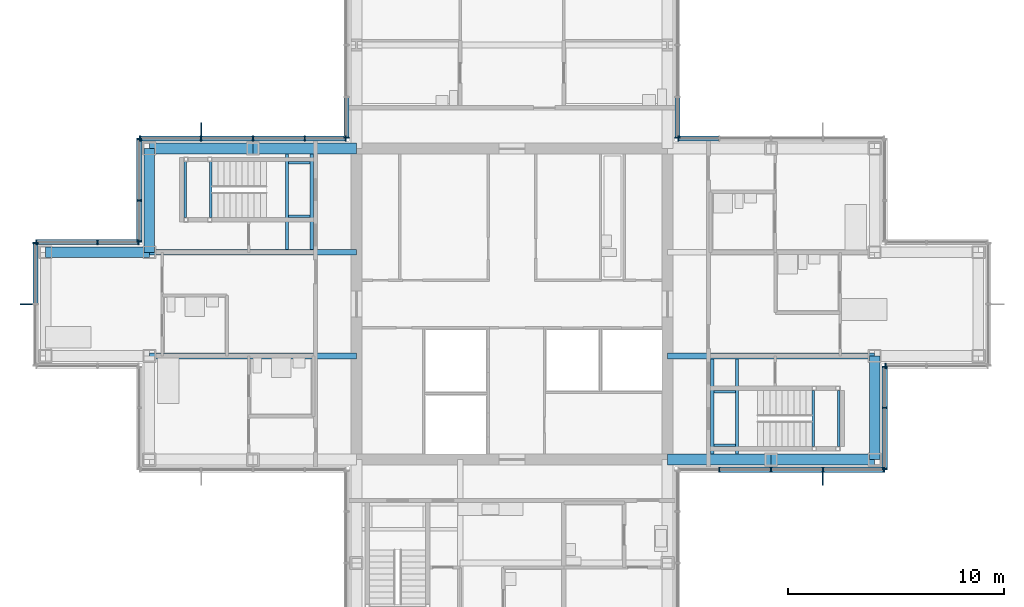
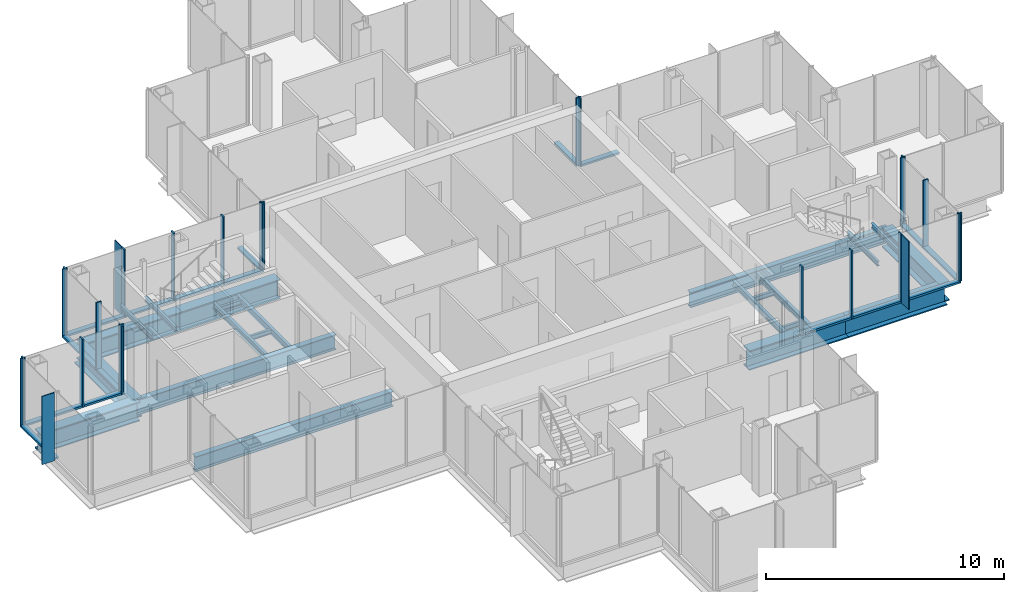
# One storey, part 7 of 17: 43 members, 22 beams, 10 elements without a shape of their own.
"""IFC4 building model written with IfcOpenShell, lengths in metres."""

from ifc_helpers import new_model, si_unit, direction, frame, origin, origin_2d, place, context, subcontext, project, spatial, rectangle, i_section, extrude, material, material_profile, profile_set, type_object, element, aggregate, save


model = new_model("IFC4")

# Units and contexts
model_context = context("Model", 3, precision=1e-05, world=origin(), true_north=direction((0.0, 1.0)))
body_context = subcontext(model_context, "Body", "Model", "MODEL_VIEW")
ifc_project = project(units=[si_unit("LENGTHUNIT", "METRE"), si_unit("AREAUNIT", "SQUARE_METRE"), si_unit("VOLUMEUNIT", "CUBIC_METRE"), si_unit("PLANEANGLEUNIT", "RADIAN"), si_unit("MASSUNIT", "GRAM", prefix="KILO")], contexts=[model_context])

# Site, building, storey
site_placement = place(None, origin())
site = spatial("IfcSite", under=ifc_project, at=site_placement, CompositionType="ELEMENT")
building_placement = place(site_placement, origin())
building = spatial("IfcBuilding", under=site, at=building_placement, Name="Kvirike Care Tower", CompositionType="ELEMENT")
storey_placement = place(building_placement, frame((0.0, 0.0, 155.0)))
storey = spatial("IfcBuildingStorey", under=building, at=storey_placement, Name="L42", CompositionType="ELEMENT", Elevation=155.0)

# Curtain wall, member
ifc_material_1 = material(Name="Anodised aluminium stick system", Category="aluminium")
curtain_wall_type = type_object("IfcCurtainWallType", Name="CW-C STICK CURTAIN WALL", PredefinedType="NOTDEFINED", material=ifc_material_1)
curtain_wall_1_placement = place(storey_placement, origin())
curtain_wall_1 = element("IfcCurtainWall", 1, at=curtain_wall_1_placement, inside=storey, type_object=curtain_wall_type, Name="Curtain wall L42 face 1", PredefinedType="NOTDEFINED")
ifc_material_2 = material(Name="Bronze anodised aluminium fin", Category="aluminium")
ifc_material_profile_1 = material_profile(ifc_material_2, rectangle(XDim=0.050048828125, YDim=0.60009765625, at=origin_2d()), Name="BRONZE FIN 600")
ifc_profile_set_1 = profile_set([ifc_material_profile_1], Name="Bronze anodised aluminium fin")
member_type_1 = type_object("IfcMemberType", Name="BRONZE FIN 600", PredefinedType="USERDEFINED", material=ifc_profile_set_1)
member_1_placement = place(storey_placement, frame((36.0, 27.909912109375, 0.0), z_axis=(0.0, 0.0, 1.0), x_axis=(1.0, 0.0, 0.0)))
member_1 = element("IfcMember", 2, at=member_1_placement, type_object=member_type_1, Name="Bronze fin L42 face 1.4", ObjectType="FIN", PredefinedType="USERDEFINED", context=body_context, shape_type="SweptSolid", body=[
    extrude(rectangle(XDim=0.050048828125, YDim=0.60009765625, at=origin_2d()), origin(), (0.0, 0.0, 1.0), 3.5),
])

curtain_wall_2_placement = place(storey_placement, origin())
curtain_wall_2 = element("IfcCurtainWall", 3, at=curtain_wall_2_placement, inside=storey, type_object=curtain_wall_type, Name="Curtain wall L42 face 15", PredefinedType="NOTDEFINED")
member_2_placement = place(storey_placement, frame((7.199951171875, 44.090087890625, 0.0), z_axis=(0.0, 0.0, 1.0), x_axis=(-1.0, 0.0, 0.0)))
member_2 = element("IfcMember", 4, at=member_2_placement, type_object=member_type_1, Name="Bronze fin L42 face 15.4", ObjectType="FIN", PredefinedType="USERDEFINED", context=body_context, shape_type="SweptSolid", body=[
    extrude(rectangle(XDim=0.050048828125, YDim=0.60009765625, at=origin_2d()), origin(), (0.0, 0.0, 1.0), 3.5),
])

curtain_wall_3_placement = place(storey_placement, origin())
curtain_wall_3 = element("IfcCurtainWall", 5, at=curtain_wall_3_placement, inside=storey, type_object=curtain_wall_type, Name="Curtain wall L42 face 18", PredefinedType="NOTDEFINED")
member_3_placement = place(storey_placement, frame((-0.889892578125, 36.0, 0.0), z_axis=(0.0, 0.0, 1.0), x_axis=(0.0, -1.0, 0.0)))
member_3 = element("IfcMember", 6, at=member_3_placement, type_object=member_type_1, Name="Bronze fin L42 face 18.2", ObjectType="FIN", PredefinedType="USERDEFINED", context=body_context, shape_type="SweptSolid", body=[
    extrude(rectangle(XDim=0.050048828125, YDim=0.60009765625, at=origin_2d()), origin(), (0.0, 0.0, 1.0), 3.5),
])

# Member
ifc_material_3 = material(Name="Bronze anodised aluminium mullion", Category="aluminium")
ifc_material_profile_2 = material_profile(ifc_material_3, rectangle(XDim=0.06494140625, YDim=0.239990234375, at=origin_2d()), Name="CW-C MULLION 65x240")
ifc_profile_set_2 = profile_set([ifc_material_profile_2], Name="Bronze anodised aluminium mullion")
member_type_2 = type_object("IfcMemberType", Name="CW-C MULLION 65x240", PredefinedType="MULLION", material=ifc_profile_set_2)
member_4_placement = place(storey_placement, frame((31.199951171875, 28.330078125, 0.0), z_axis=(0.0, 0.0, 1.0), x_axis=(1.0, 0.0, 0.0)))
member_4 = element("IfcMember", 7, at=member_4_placement, type_object=member_type_2, Name="CW-C mullion L42 face 1.2", PredefinedType="MULLION", context=body_context, shape_type="SweptSolid", body=[
    extrude(rectangle(XDim=0.06494140625, YDim=0.239990234375, at=origin_2d()), origin(), (0.0, 0.0, 1.0), 3.5),
])

member_5_placement = place(storey_placement, frame((33.60009765625, 28.330078125, 0.0), z_axis=(0.0, 0.0, 1.0), x_axis=(1.0, 0.0, 0.0)))
member_5 = element("IfcMember", 8, at=member_5_placement, type_object=member_type_2, Name="CW-C mullion L42 face 1.3", PredefinedType="MULLION", context=body_context, shape_type="SweptSolid", body=[
    extrude(rectangle(XDim=0.06494140625, YDim=0.239990234375, at=origin_2d()), origin(), (0.0, 0.0, 1.0), 3.5),
])

member_6_placement = place(storey_placement, frame((36.0, 28.330078125, 0.0), z_axis=(0.0, 0.0, 1.0), x_axis=(1.0, 0.0, 0.0)))
member_6 = element("IfcMember", 9, at=member_6_placement, type_object=member_type_2, Name="CW-C mullion L42 face 1.4", PredefinedType="MULLION", context=body_context, shape_type="SweptSolid", body=[
    extrude(rectangle(XDim=0.06494140625, YDim=0.239990234375, at=origin_2d()), origin(), (0.0, 0.0, 1.0), 3.5),
])

member_7_placement = place(storey_placement, frame((38.83740234375, 28.330078125, 0.0), z_axis=(0.0, 0.0, 1.0), x_axis=(1.0, 0.0, 0.0)))
member_7 = element("IfcMember", 10, at=member_7_placement, type_object=member_type_2, Name="CW-C mullion L42 face 1.5", PredefinedType="MULLION", context=body_context, shape_type="SweptSolid", body=[
    extrude(rectangle(XDim=0.06494140625, YDim=0.239990234375, at=origin_2d()), origin(), (0.0, 0.0, 1.0), 3.5),
])

# Curtain wall, members
curtain_wall_4_placement = place(storey_placement, origin())
curtain_wall_4 = element("IfcCurtainWall", 11, at=curtain_wall_4_placement, inside=storey, type_object=curtain_wall_type, Name="Curtain wall L42 face 2", PredefinedType="NOTDEFINED")
member_8_placement = place(storey_placement, frame((38.8701171875, 28.362548828125, 0.0), z_axis=(0.0, 0.0, 1.0), x_axis=(0.0, 1.0, 0.0)))
member_8 = element("IfcMember", 12, at=member_8_placement, type_object=member_type_2, Name="CW-C mullion L42 face 2.1", PredefinedType="MULLION", context=body_context, shape_type="SweptSolid", body=[
    extrude(rectangle(XDim=0.06494140625, YDim=0.239990234375, at=origin_2d()), origin(), (0.0, 0.0, 1.0), 3.5),
])
member_9_placement = place(storey_placement, frame((38.8701171875, 31.199951171875, 0.0), z_axis=(0.0, 0.0, 1.0), x_axis=(0.0, 1.0, 0.0)))
member_9 = element("IfcMember", 13, at=member_9_placement, type_object=member_type_2, Name="CW-C mullion L42 face 2.2", PredefinedType="MULLION", context=body_context, shape_type="SweptSolid", body=[
    extrude(rectangle(XDim=0.06494140625, YDim=0.239990234375, at=origin_2d()), origin(), (0.0, 0.0, 1.0), 3.5),
])
member_10_placement = place(storey_placement, frame((38.8701171875, 33.097412109375, 0.0), z_axis=(0.0, 0.0, 1.0), x_axis=(0.0, 1.0, 0.0)))
member_10 = element("IfcMember", 14, at=member_10_placement, type_object=member_type_2, Name="CW-C mullion L42 face 2.3", PredefinedType="MULLION", context=body_context, shape_type="SweptSolid", body=[
    extrude(rectangle(XDim=0.06494140625, YDim=0.239990234375, at=origin_2d()), origin(), (0.0, 0.0, 1.0), 3.5),
])

# Curtain wall, member
curtain_wall_5_placement = place(storey_placement, origin())
curtain_wall_5 = element("IfcCurtainWall", 15, at=curtain_wall_5_placement, inside=storey, type_object=curtain_wall_type, Name="Curtain wall L42 face 3", PredefinedType="NOTDEFINED")
member_11_placement = place(storey_placement, frame((38.902587890625, 33.1298828125, 0.0), z_axis=(0.0, 0.0, 1.0), x_axis=(1.0, 0.0, 0.0)))
member_11 = element("IfcMember", 16, at=member_11_placement, type_object=member_type_2, Name="CW-C mullion L42 face 3.1", PredefinedType="MULLION", context=body_context, shape_type="SweptSolid", body=[
    extrude(rectangle(XDim=0.06494140625, YDim=0.239990234375, at=origin_2d()), origin(), (0.0, 0.0, 1.0), 3.5),
])
aggregate(curtain_wall_5, [member_11])

curtain_wall_6_placement = place(storey_placement, origin())
curtain_wall_6 = element("IfcCurtainWall", 17, at=curtain_wall_6_placement, inside=storey, type_object=curtain_wall_type, Name="Curtain wall L42 face 7", PredefinedType="NOTDEFINED")
member_12_placement = place(storey_placement, frame((29.302490234375, 43.669921875, 0.0), z_axis=(0.0, 0.0, 1.0), x_axis=(-1.0, 0.0, 0.0)))
member_12 = element("IfcMember", 18, at=member_12_placement, type_object=member_type_2, Name="CW-C mullion L42 face 7.5", PredefinedType="MULLION", context=body_context, shape_type="SweptSolid", body=[
    extrude(rectangle(XDim=0.06494140625, YDim=0.239990234375, at=origin_2d()), origin(), (0.0, 0.0, 1.0), 3.5),
])

curtain_wall_7_placement = place(storey_placement, origin())
curtain_wall_7 = element("IfcCurtainWall", 19, at=curtain_wall_7_placement, inside=storey, type_object=curtain_wall_type, Name="Curtain wall L42 face 8", PredefinedType="NOTDEFINED")
member_13_placement = place(storey_placement, frame((29.27001953125, 43.702392578125, 0.0), z_axis=(0.0, 0.0, 1.0), x_axis=(0.0, 1.0, 0.0)))
member_13 = element("IfcMember", 20, at=member_13_placement, type_object=member_type_2, Name="CW-C mullion L42 face 8.1", PredefinedType="MULLION", context=body_context, shape_type="SweptSolid", body=[
    extrude(rectangle(XDim=0.06494140625, YDim=0.239990234375, at=origin_2d()), origin(), (0.0, 0.0, 1.0), 3.5),
])

curtain_wall_8_placement = place(storey_placement, origin())
curtain_wall_8 = element("IfcCurtainWall", 21, at=curtain_wall_8_placement, inside=storey, type_object=curtain_wall_type, Name="Curtain wall L42 face 14", PredefinedType="NOTDEFINED")
member_14_placement = place(storey_placement, frame((13.929931640625, 43.702392578125, 0.0), z_axis=(0.0, 0.0, 1.0), x_axis=(0.0, -1.0, 0.0)))
member_14 = element("IfcMember", 22, at=member_14_placement, type_object=member_type_2, Name="CW-C mullion L42 face 14.5", PredefinedType="MULLION", context=body_context, shape_type="SweptSolid", body=[
    extrude(rectangle(XDim=0.06494140625, YDim=0.239990234375, at=origin_2d()), origin(), (0.0, 0.0, 1.0), 3.5),
])

# Member
member_15_placement = place(storey_placement, frame((13.8974609375, 43.669921875, 0.0), z_axis=(0.0, 0.0, 1.0), x_axis=(-1.0, 0.0, 0.0)))
member_15 = element("IfcMember", 23, at=member_15_placement, type_object=member_type_2, Name="CW-C mullion L42 face 15.1", PredefinedType="MULLION", context=body_context, shape_type="SweptSolid", body=[
    extrude(rectangle(XDim=0.06494140625, YDim=0.239990234375, at=origin_2d()), origin(), (0.0, 0.0, 1.0), 3.5),
])

member_16_placement = place(storey_placement, frame((12.0, 43.669921875, 0.0), z_axis=(0.0, 0.0, 1.0), x_axis=(-1.0, 0.0, 0.0)))
member_16 = element("IfcMember", 24, at=member_16_placement, type_object=member_type_2, Name="CW-C mullion L42 face 15.2", PredefinedType="MULLION", context=body_context, shape_type="SweptSolid", body=[
    extrude(rectangle(XDim=0.06494140625, YDim=0.239990234375, at=origin_2d()), origin(), (0.0, 0.0, 1.0), 3.5),
])

member_17_placement = place(storey_placement, frame((9.60009765625, 43.669921875, 0.0), z_axis=(0.0, 0.0, 1.0), x_axis=(-1.0, 0.0, 0.0)))
member_17 = element("IfcMember", 25, at=member_17_placement, type_object=member_type_2, Name="CW-C mullion L42 face 15.3", PredefinedType="MULLION", context=body_context, shape_type="SweptSolid", body=[
    extrude(rectangle(XDim=0.06494140625, YDim=0.239990234375, at=origin_2d()), origin(), (0.0, 0.0, 1.0), 3.5),
])

member_18_placement = place(storey_placement, frame((7.199951171875, 43.669921875, 0.0), z_axis=(0.0, 0.0, 1.0), x_axis=(-1.0, 0.0, 0.0)))
member_18 = element("IfcMember", 26, at=member_18_placement, type_object=member_type_2, Name="CW-C mullion L42 face 15.4", PredefinedType="MULLION", context=body_context, shape_type="SweptSolid", body=[
    extrude(rectangle(XDim=0.06494140625, YDim=0.239990234375, at=origin_2d()), origin(), (0.0, 0.0, 1.0), 3.5),
])

member_19_placement = place(storey_placement, frame((4.362548828125, 43.669921875, 0.0), z_axis=(0.0, 0.0, 1.0), x_axis=(-1.0, 0.0, 0.0)))
member_19 = element("IfcMember", 27, at=member_19_placement, type_object=member_type_2, Name="CW-C mullion L42 face 15.5", PredefinedType="MULLION", context=body_context, shape_type="SweptSolid", body=[
    extrude(rectangle(XDim=0.06494140625, YDim=0.239990234375, at=origin_2d()), origin(), (0.0, 0.0, 1.0), 3.5),
])

# Curtain wall, members
curtain_wall_9_placement = place(storey_placement, origin())
curtain_wall_9 = element("IfcCurtainWall", 28, at=curtain_wall_9_placement, inside=storey, type_object=curtain_wall_type, Name="Curtain wall L42 face 16", PredefinedType="NOTDEFINED")
member_20_placement = place(storey_placement, frame((4.330078125, 43.637451171875, 0.0), z_axis=(0.0, 0.0, 1.0), x_axis=(0.0, -1.0, 0.0)))
member_20 = element("IfcMember", 29, at=member_20_placement, type_object=member_type_2, Name="CW-C mullion L42 face 16.1", PredefinedType="MULLION", context=body_context, shape_type="SweptSolid", body=[
    extrude(rectangle(XDim=0.06494140625, YDim=0.239990234375, at=origin_2d()), origin(), (0.0, 0.0, 1.0), 3.5),
])
member_21_placement = place(storey_placement, frame((4.330078125, 40.800048828125, 0.0), z_axis=(0.0, 0.0, 1.0), x_axis=(0.0, -1.0, 0.0)))
member_21 = element("IfcMember", 30, at=member_21_placement, type_object=member_type_2, Name="CW-C mullion L42 face 16.2", PredefinedType="MULLION", context=body_context, shape_type="SweptSolid", body=[
    extrude(rectangle(XDim=0.06494140625, YDim=0.239990234375, at=origin_2d()), origin(), (0.0, 0.0, 1.0), 3.5),
])
member_22_placement = place(storey_placement, frame((4.330078125, 38.902587890625, 0.0), z_axis=(0.0, 0.0, 1.0), x_axis=(0.0, -1.0, 0.0)))
member_22 = element("IfcMember", 31, at=member_22_placement, type_object=member_type_2, Name="CW-C mullion L42 face 16.3", PredefinedType="MULLION", context=body_context, shape_type="SweptSolid", body=[
    extrude(rectangle(XDim=0.06494140625, YDim=0.239990234375, at=origin_2d()), origin(), (0.0, 0.0, 1.0), 3.5),
])

curtain_wall_10_placement = place(storey_placement, origin())
curtain_wall_10 = element("IfcCurtainWall", 32, at=curtain_wall_10_placement, inside=storey, type_object=curtain_wall_type, Name="Curtain wall L42 face 17", PredefinedType="NOTDEFINED")
member_23_placement = place(storey_placement, frame((4.297607421875, 38.8701171875, 0.0), z_axis=(0.0, 0.0, 1.0), x_axis=(-1.0, 0.0, 0.0)))
member_23 = element("IfcMember", 33, at=member_23_placement, type_object=member_type_2, Name="CW-C mullion L42 face 17.1", PredefinedType="MULLION", context=body_context, shape_type="SweptSolid", body=[
    extrude(rectangle(XDim=0.06494140625, YDim=0.239990234375, at=origin_2d()), origin(), (0.0, 0.0, 1.0), 3.5),
])
member_24_placement = place(storey_placement, frame((2.39990234375, 38.8701171875, 0.0), z_axis=(0.0, 0.0, 1.0), x_axis=(-1.0, 0.0, 0.0)))
member_24 = element("IfcMember", 34, at=member_24_placement, type_object=member_type_2, Name="CW-C mullion L42 face 17.2", PredefinedType="MULLION", context=body_context, shape_type="SweptSolid", body=[
    extrude(rectangle(XDim=0.06494140625, YDim=0.239990234375, at=origin_2d()), origin(), (0.0, 0.0, 1.0), 3.5),
])
member_25_placement = place(storey_placement, frame((-0.4375, 38.8701171875, 0.0), z_axis=(0.0, 0.0, 1.0), x_axis=(-1.0, 0.0, 0.0)))
member_25 = element("IfcMember", 35, at=member_25_placement, type_object=member_type_2, Name="CW-C mullion L42 face 17.3", PredefinedType="MULLION", context=body_context, shape_type="SweptSolid", body=[
    extrude(rectangle(XDim=0.06494140625, YDim=0.239990234375, at=origin_2d()), origin(), (0.0, 0.0, 1.0), 3.5),
])

# Member
member_26_placement = place(storey_placement, frame((-0.469970703125, 38.83740234375, 0.0), z_axis=(0.0, 0.0, 1.0), x_axis=(0.0, -1.0, 0.0)))
member_26 = element("IfcMember", 36, at=member_26_placement, type_object=member_type_2, Name="CW-C mullion L42 face 18.1", PredefinedType="MULLION", context=body_context, shape_type="SweptSolid", body=[
    extrude(rectangle(XDim=0.06494140625, YDim=0.239990234375, at=origin_2d()), origin(), (0.0, 0.0, 1.0), 3.5),
])

ifc_material_4 = material(Name="Bronze anodised aluminium transom", Category="aluminium")
ifc_material_profile_3 = material_profile(ifc_material_4, rectangle(XDim=0.239990234375, YDim=0.10009765625, at=origin_2d()), Name="CW-C TRANSOM 240x100")
ifc_profile_set_3 = profile_set([ifc_material_profile_3], Name="Bronze anodised aluminium transom")
member_type_3 = type_object("IfcMemberType", Name="CW-C TRANSOM 240x100", PredefinedType="USERDEFINED", material=ifc_profile_set_3)
member_27_placement = place(storey_placement, frame((31.232421875, 28.330078125, 0.050048828125), z_axis=(1.0, 0.0, 0.0), x_axis=(0.0, 1.0, 0.0)))
member_27 = element("IfcMember", 37, at=member_27_placement, type_object=member_type_3, Name="CW-C sill transom L42 face 1.2", ObjectType="TRANSOM", PredefinedType="USERDEFINED", context=body_context, shape_type="SweptSolid", body=[
    extrude(rectangle(XDim=0.239990234375, YDim=0.10009765625, at=origin_2d()), origin(), (0.0, 0.0, 1.0), 2.3349609375),
])

member_28_placement = place(storey_placement, frame((33.632568359375, 28.330078125, 0.050048828125), z_axis=(1.0, 0.0, 0.0), x_axis=(0.0, 1.0, 0.0)))
member_28 = element("IfcMember", 38, at=member_28_placement, type_object=member_type_3, Name="CW-C sill transom L42 face 1.3", ObjectType="TRANSOM", PredefinedType="USERDEFINED", context=body_context, shape_type="SweptSolid", body=[
    extrude(rectangle(XDim=0.239990234375, YDim=0.10009765625, at=origin_2d()), origin(), (0.0, 0.0, 1.0), 2.3349609375),
])

member_29_placement = place(storey_placement, frame((36.032470703125, 28.330078125, 0.050048828125), z_axis=(1.0, 0.0, 0.0), x_axis=(0.0, 1.0, 0.0)))
member_29 = element("IfcMember", 39, at=member_29_placement, type_object=member_type_3, Name="CW-C sill transom L42 face 1.4", ObjectType="TRANSOM", PredefinedType="USERDEFINED", context=body_context, shape_type="SweptSolid", body=[
    extrude(rectangle(XDim=0.239990234375, YDim=0.10009765625, at=origin_2d()), origin(), (0.0, 0.0, 1.0), 2.7724609375),
])

aggregate(curtain_wall_1, [member_4, member_5, member_6, member_1, member_7, member_27, member_28, member_29])

member_30_placement = place(storey_placement, frame((38.8701171875, 28.39501953125, 0.050048828125), z_axis=(0.0, 1.0, 0.0), x_axis=(-1.0, 0.0, 0.0)))
member_30 = element("IfcMember", 40, at=member_30_placement, type_object=member_type_3, Name="CW-C sill transom L42 face 2.1", ObjectType="TRANSOM", PredefinedType="USERDEFINED", context=body_context, shape_type="SweptSolid", body=[
    extrude(rectangle(XDim=0.239990234375, YDim=0.10009765625, at=origin_2d()), origin(), (0.0, 0.0, 1.0), 2.7724609375),
])

member_31_placement = place(storey_placement, frame((38.8701171875, 31.232421875, 0.050048828125), z_axis=(0.0, 1.0, 0.0), x_axis=(-1.0, 0.0, 0.0)))
member_31 = element("IfcMember", 41, at=member_31_placement, type_object=member_type_3, Name="CW-C sill transom L42 face 2.2", ObjectType="TRANSOM", PredefinedType="USERDEFINED", context=body_context, shape_type="SweptSolid", body=[
    extrude(rectangle(XDim=0.239990234375, YDim=0.10009765625, at=origin_2d()), origin(), (0.0, 0.0, 1.0), 1.83251953125),
])

aggregate(curtain_wall_4, [member_8, member_9, member_10, member_30, member_31])

member_32_placement = place(storey_placement, frame((31.16748046875, 43.669921875, 0.050048828125), z_axis=(-1.0, 0.0, 0.0), x_axis=(0.0, -1.0, 0.0)))
member_32 = element("IfcMember", 42, at=member_32_placement, type_object=member_type_3, Name="CW-C sill transom L42 face 7.4", ObjectType="TRANSOM", PredefinedType="USERDEFINED", context=body_context, shape_type="SweptSolid", body=[
    extrude(rectangle(XDim=0.239990234375, YDim=0.10009765625, at=origin_2d()), origin(), (0.0, 0.0, 1.0), 1.83251953125),
])

aggregate(curtain_wall_6, [member_12, member_32])

member_33_placement = place(storey_placement, frame((29.27001953125, 43.735107421875, 0.050048828125), z_axis=(0.0, 1.0, 0.0), x_axis=(-1.0, 0.0, 0.0)))
member_33 = element("IfcMember", 43, at=member_33_placement, type_object=member_type_3, Name="CW-C sill transom L42 face 8.1", ObjectType="TRANSOM", PredefinedType="USERDEFINED", context=body_context, shape_type="SweptSolid", body=[
    extrude(rectangle(XDim=0.239990234375, YDim=0.10009765625, at=origin_2d()), origin(), (0.0, 0.0, 1.0), 1.832275390625),
])

aggregate(curtain_wall_7, [member_13, member_33])

member_34_placement = place(storey_placement, frame((13.929931640625, 45.5673828125, 0.050048828125), z_axis=(0.0, -1.0, 0.0), x_axis=(1.0, 0.0, 0.0)))
member_34 = element("IfcMember", 44, at=member_34_placement, type_object=member_type_3, Name="CW-C sill transom L42 face 14.4", ObjectType="TRANSOM", PredefinedType="USERDEFINED", context=body_context, shape_type="SweptSolid", body=[
    extrude(rectangle(XDim=0.239990234375, YDim=0.10009765625, at=origin_2d()), origin(), (0.0, 0.0, 1.0), 1.832275390625),
])

aggregate(curtain_wall_8, [member_14, member_34])

member_35_placement = place(storey_placement, frame((13.864990234375, 43.669921875, 0.050048828125), z_axis=(-1.0, 0.0, 0.0), x_axis=(0.0, -1.0, 0.0)))
member_35 = element("IfcMember", 45, at=member_35_placement, type_object=member_type_3, Name="CW-C sill transom L42 face 15.1", ObjectType="TRANSOM", PredefinedType="USERDEFINED", context=body_context, shape_type="SweptSolid", body=[
    extrude(rectangle(XDim=0.239990234375, YDim=0.10009765625, at=origin_2d()), origin(), (0.0, 0.0, 1.0), 1.83251953125),
])

member_36_placement = place(storey_placement, frame((11.967529296875, 43.669921875, 0.050048828125), z_axis=(-1.0, 0.0, 0.0), x_axis=(0.0, -1.0, 0.0)))
member_36 = element("IfcMember", 46, at=member_36_placement, type_object=member_type_3, Name="CW-C sill transom L42 face 15.2", ObjectType="TRANSOM", PredefinedType="USERDEFINED", context=body_context, shape_type="SweptSolid", body=[
    extrude(rectangle(XDim=0.239990234375, YDim=0.10009765625, at=origin_2d()), origin(), (0.0, 0.0, 1.0), 2.3349609375),
])

member_37_placement = place(storey_placement, frame((9.5673828125, 43.669921875, 0.050048828125), z_axis=(-1.0, 0.0, 0.0), x_axis=(0.0, -1.0, 0.0)))
member_37 = element("IfcMember", 47, at=member_37_placement, type_object=member_type_3, Name="CW-C sill transom L42 face 15.3", ObjectType="TRANSOM", PredefinedType="USERDEFINED", context=body_context, shape_type="SweptSolid", body=[
    extrude(rectangle(XDim=0.239990234375, YDim=0.10009765625, at=origin_2d()), origin(), (0.0, 0.0, 1.0), 2.3349609375),
])

member_38_placement = place(storey_placement, frame((7.16748046875, 43.669921875, 0.050048828125), z_axis=(-1.0, 0.0, 0.0), x_axis=(0.0, -1.0, 0.0)))
member_38 = element("IfcMember", 48, at=member_38_placement, type_object=member_type_3, Name="CW-C sill transom L42 face 15.4", ObjectType="TRANSOM", PredefinedType="USERDEFINED", context=body_context, shape_type="SweptSolid", body=[
    extrude(rectangle(XDim=0.239990234375, YDim=0.10009765625, at=origin_2d()), origin(), (0.0, 0.0, 1.0), 2.7724609375),
])

aggregate(curtain_wall_2, [member_15, member_16, member_17, member_18, member_2, member_19, member_35, member_36, member_37, member_38])

member_39_placement = place(storey_placement, frame((4.330078125, 43.60498046875, 0.050048828125), z_axis=(0.0, -1.0, 0.0), x_axis=(1.0, 0.0, 0.0)))
member_39 = element("IfcMember", 49, at=member_39_placement, type_object=member_type_3, Name="CW-C sill transom L42 face 16.1", ObjectType="TRANSOM", PredefinedType="USERDEFINED", context=body_context, shape_type="SweptSolid", body=[
    extrude(rectangle(XDim=0.239990234375, YDim=0.10009765625, at=origin_2d()), origin(), (0.0, 0.0, 1.0), 2.7724609375),
])

member_40_placement = place(storey_placement, frame((4.330078125, 40.767578125, 0.050048828125), z_axis=(0.0, -1.0, 0.0), x_axis=(1.0, 0.0, 0.0)))
member_40 = element("IfcMember", 50, at=member_40_placement, type_object=member_type_3, Name="CW-C sill transom L42 face 16.2", ObjectType="TRANSOM", PredefinedType="USERDEFINED", context=body_context, shape_type="SweptSolid", body=[
    extrude(rectangle(XDim=0.239990234375, YDim=0.10009765625, at=origin_2d()), origin(), (0.0, 0.0, 1.0), 1.83251953125),
])

aggregate(curtain_wall_9, [member_20, member_21, member_22, member_39, member_40])

member_41_placement = place(storey_placement, frame((4.264892578125, 38.8701171875, 0.050048828125), z_axis=(-1.0, 0.0, 0.0), x_axis=(0.0, -1.0, 0.0)))
member_41 = element("IfcMember", 51, at=member_41_placement, type_object=member_type_3, Name="CW-C sill transom L42 face 17.1", ObjectType="TRANSOM", PredefinedType="USERDEFINED", context=body_context, shape_type="SweptSolid", body=[
    extrude(rectangle(XDim=0.239990234375, YDim=0.10009765625, at=origin_2d()), origin(), (0.0, 0.0, 1.0), 1.832275390625),
])

member_42_placement = place(storey_placement, frame((2.367431640625, 38.8701171875, 0.050048828125), z_axis=(-1.0, 0.0, 0.0), x_axis=(0.0, -1.0, 0.0)))
member_42 = element("IfcMember", 52, at=member_42_placement, type_object=member_type_3, Name="CW-C sill transom L42 face 17.2", ObjectType="TRANSOM", PredefinedType="USERDEFINED", context=body_context, shape_type="SweptSolid", body=[
    extrude(rectangle(XDim=0.239990234375, YDim=0.10009765625, at=origin_2d()), origin(), (0.0, 0.0, 1.0), 2.7724609375),
])

aggregate(curtain_wall_10, [member_23, member_24, member_25, member_41, member_42])

member_43_placement = place(storey_placement, frame((-0.469970703125, 38.804931640625, 0.050048828125), z_axis=(0.0, -1.0, 0.0), x_axis=(1.0, 0.0, 0.0)))
member_43 = element("IfcMember", 53, at=member_43_placement, type_object=member_type_3, Name="CW-C sill transom L42 face 18.1", ObjectType="TRANSOM", PredefinedType="USERDEFINED", context=body_context, shape_type="SweptSolid", body=[
    extrude(rectangle(XDim=0.239990234375, YDim=0.10009765625, at=origin_2d()), origin(), (0.0, 0.0, 1.0), 2.7724609375),
])

aggregate(curtain_wall_3, [member_26, member_3, member_43])

# Beams
ifc_material_5 = material(Name="Steel S355", Category="steel")
ifc_material_profile_4 = material_profile(ifc_material_5, i_section(OverallWidth=0.26806640625, OverallDepth=0.77001953125, WebThickness=0.015625, FlangeThickness=0.025390625, FilletRadius=0.01708984375, at=origin_2d()), Name="IPE 750x196")
ifc_profile_set_4 = profile_set([ifc_material_profile_4], Name="Steel S355")
beam_type_1 = type_object("IfcBeamType", Name="FLOOR BEAM IPE 750x196", PredefinedType="BEAM", material=ifc_profile_set_4)
for number, where, z_axis, x_axis, name in (
    (54, (4.800048828125, 33.60009765625, -0.554931640625), (1.0, 0.0, 0.0), (0.0, 1.0, 0.0), "Floor Beam H4-H6 L42"),
    (55, (28.800048828125, 33.60009765625, -0.554931640625), (1.0, 0.0, 0.0), (0.0, 1.0, 0.0), "Floor Beam H9-H11 L42"),
    (56, (4.800048828125, 38.39990234375, -0.554931640625), (1.0, 0.0, 0.0), (0.0, 1.0, 0.0), "Floor Beam J4-J6 L42"),
):
    element("IfcBeam", number, at=place(storey_placement, frame(where, z_axis=z_axis, x_axis=x_axis)), inside=storey, type_object=beam_type_1, Name=name, PredefinedType="BEAM", context=body_context, shape_type="SweptSolid", body=[
        extrude(i_section(OverallWidth=0.26806640625, OverallDepth=0.77001953125, WebThickness=0.015625, FlangeThickness=0.025390625, FilletRadius=0.01708984375, at=origin_2d()), origin(), (0.0, 0.0, 1.0), 9.599853515625),
    ])
ifc_material_6 = material(Name="Steel S355", Category="steel")
ifc_material_profile_5 = material_profile(ifc_material_6, i_section(OverallWidth=0.5, OverallDepth=1.0, WebThickness=0.030029296875, FlangeThickness=0.06005859375, at=origin_2d()), Name="PG 1000x500x30x60")
ifc_profile_set_5 = profile_set([ifc_material_profile_5], Name="Steel S355")
beam_type_2 = type_object("IfcBeamType", Name="SPANDREL PG 1000x500x30x60", PredefinedType="SPANDREL", material=ifc_profile_set_5)
beam_1_placement = place(storey_placement, frame((28.800048828125, 28.800048828125, -0.669921875), z_axis=(1.0, 0.0, 0.0), x_axis=(0.0, 1.0, 0.0)))
element("IfcBeam", 57, at=beam_1_placement, inside=storey, type_object=beam_type_2, Name="Spandrel G9-G10 L42", PredefinedType="SPANDREL", context=body_context, shape_type="SweptSolid", body=[
    extrude(i_section(OverallWidth=0.5, OverallDepth=1.0, WebThickness=0.030029296875, FlangeThickness=0.06005859375, at=origin_2d()), origin(), (0.0, 0.0, 1.0), 4.800048828125),
])
beam_2_placement = place(storey_placement, frame((33.60009765625, 28.800048828125, -0.669921875), z_axis=(1.0, 0.0, 0.0), x_axis=(0.0, 1.0, 0.0)))
element("IfcBeam", 58, at=beam_2_placement, inside=storey, type_object=beam_type_2, Name="Spandrel G10-G11 L42", PredefinedType="SPANDREL", context=body_context, shape_type="SweptSolid", body=[
    extrude(i_section(OverallWidth=0.5, OverallDepth=1.0, WebThickness=0.030029296875, FlangeThickness=0.06005859375, at=origin_2d()), origin(), (0.0, 0.0, 1.0), 4.7998046875),
])
for number, where, z_axis, x_axis, name in (
    (59, (0.0, 38.39990234375, -0.669921875), (1.0, 0.0, 0.0), (0.0, 1.0, 0.0), "Spandrel J3-J4 L42"),
    (60, (4.800048828125, 43.199951171875, -0.669921875), (1.0, 0.0, 0.0), (0.0, 1.0, 0.0), "Spandrel K4-K5 L42"),
):
    element("IfcBeam", number, at=place(storey_placement, frame(where, z_axis=z_axis, x_axis=x_axis)), inside=storey, type_object=beam_type_2, Name=name, PredefinedType="SPANDREL", context=body_context, shape_type="SweptSolid", body=[
        extrude(i_section(OverallWidth=0.5, OverallDepth=1.0, WebThickness=0.030029296875, FlangeThickness=0.06005859375, at=origin_2d()), origin(), (0.0, 0.0, 1.0), 4.800048828125),
    ])
beam_3_placement = place(storey_placement, frame((9.60009765625, 43.199951171875, -0.669921875), z_axis=(1.0, 0.0, 0.0), x_axis=(0.0, 1.0, 0.0)))
element("IfcBeam", 61, at=beam_3_placement, inside=storey, type_object=beam_type_2, Name="Spandrel K5-K6 L42", PredefinedType="SPANDREL", context=body_context, shape_type="SweptSolid", body=[
    extrude(i_section(OverallWidth=0.5, OverallDepth=1.0, WebThickness=0.030029296875, FlangeThickness=0.06005859375, at=origin_2d()), origin(), (0.0, 0.0, 1.0), 4.7998046875),
])
for number, where, z_axis, x_axis, name in (
    (62, (4.800048828125, 38.39990234375, -0.669921875), (0.0, 1.0, 0.0), (-1.0, 0.0, 0.0), "Spandrel J4-K4 L42"),
    (63, (38.39990234375, 28.800048828125, -0.669921875), (0.0, 1.0, 0.0), (-1.0, 0.0, 0.0), "Spandrel G11-H11 L42"),
):
    element("IfcBeam", number, at=place(storey_placement, frame(where, z_axis=z_axis, x_axis=x_axis)), inside=storey, type_object=beam_type_2, Name=name, PredefinedType="SPANDREL", context=body_context, shape_type="SweptSolid", body=[
        extrude(i_section(OverallWidth=0.5, OverallDepth=1.0, WebThickness=0.030029296875, FlangeThickness=0.06005859375, at=origin_2d()), origin(), (0.0, 0.0, 1.0), 4.800048828125),
    ])
ifc_material_7 = material(Name="Steel S355", Category="steel")
ifc_material_profile_6 = material_profile(ifc_material_7, i_section(OverallWidth=0.1201171875, OverallDepth=0.239990234375, WebThickness=0.006103515625, FlangeThickness=0.009765625, FilletRadius=0.014892578125, at=origin_2d()), Name="IPE 240")
ifc_profile_set_6 = profile_set([ifc_material_profile_6], Name="Steel S355")
beam_type_3 = type_object("IfcBeamType", Name="STAIR LANDING BEAM IPE 240", PredefinedType="BEAM", material=ifc_profile_set_6)
for number, where, z_axis, x_axis, name in (
    (64, (6.4599609375, 42.60009765625, 1.429931640625), (0.0, -1.0, 0.0), (1.0, 0.0, 0.0), "Stair 1 landing beam back L42"),
    (65, (7.639892578125, 42.60009765625, 1.429931640625), (0.0, -1.0, 0.0), (1.0, 0.0, 0.0), "Stair 1 landing beam front L42"),
):
    element("IfcBeam", number, at=place(storey_placement, frame(where, z_axis=z_axis, x_axis=x_axis)), inside=storey, type_object=beam_type_3, Name=name, PredefinedType="BEAM", context=body_context, shape_type="SweptSolid", body=[
        extrude(i_section(OverallWidth=0.1201171875, OverallDepth=0.239990234375, WebThickness=0.006103515625, FlangeThickness=0.009765625, FilletRadius=0.014892578125, at=origin_2d()), origin(), (0.0, 0.0, 1.0), 2.60009765625),
    ])
for number, where, z_axis, x_axis, name in (
    (66, (11.25, 42.5400390625, -0.320068359375), (1.0, 0.0, 0.0), (0.0, 1.0, 0.0), "Stair 1 landing edge beam 1 L42"),
    (67, (11.25, 40.06005859375, -0.320068359375), (1.0, 0.0, 0.0), (0.0, 1.0, 0.0), "Stair 1 landing edge beam 2 L42"),
):
    element("IfcBeam", number, at=place(storey_placement, frame(where, z_axis=z_axis, x_axis=x_axis)), inside=storey, type_object=beam_type_3, Name=name, PredefinedType="BEAM", context=body_context, shape_type="SweptSolid", body=[
        extrude(i_section(OverallWidth=0.1201171875, OverallDepth=0.239990234375, WebThickness=0.006103515625, FlangeThickness=0.009765625, FilletRadius=0.014892578125, at=origin_2d()), origin(), (0.0, 0.0, 1.0), 1.0),
    ])
for number, where, z_axis, x_axis, name in (
    (68, (36.739990234375, 29.39990234375, 1.429931640625), (0.0, 1.0, 0.0), (-1.0, 0.0, 0.0), "Stair 2 landing beam back L42"),
    (69, (35.56005859375, 29.39990234375, 1.429931640625), (0.0, 1.0, 0.0), (-1.0, 0.0, 0.0), "Stair 2 landing beam front L42"),
):
    element("IfcBeam", number, at=place(storey_placement, frame(where, z_axis=z_axis, x_axis=x_axis)), inside=storey, type_object=beam_type_3, Name=name, PredefinedType="BEAM", context=body_context, shape_type="SweptSolid", body=[
        extrude(i_section(OverallWidth=0.1201171875, OverallDepth=0.239990234375, WebThickness=0.006103515625, FlangeThickness=0.009765625, FilletRadius=0.014892578125, at=origin_2d()), origin(), (0.0, 0.0, 1.0), 2.60009765625),
    ])
for number, where, z_axis, x_axis, name in (
    (70, (31.949951171875, 29.4599609375, -0.320068359375), (-1.0, 0.0, 0.0), (0.0, -1.0, 0.0), "Stair 2 landing edge beam 1 L42"),
    (71, (31.949951171875, 31.93994140625, -0.320068359375), (-1.0, 0.0, 0.0), (0.0, -1.0, 0.0), "Stair 2 landing edge beam 2 L42"),
):
    element("IfcBeam", number, at=place(storey_placement, frame(where, z_axis=z_axis, x_axis=x_axis)), inside=storey, type_object=beam_type_3, Name=name, PredefinedType="BEAM", context=body_context, shape_type="SweptSolid", body=[
        extrude(i_section(OverallWidth=0.1201171875, OverallDepth=0.239990234375, WebThickness=0.006103515625, FlangeThickness=0.009765625, FilletRadius=0.014892578125, at=origin_2d()), origin(), (0.0, 0.0, 1.0), 1.0),
    ])
ifc_material_8 = material(Name="Steel S355", Category="steel")
ifc_material_profile_7 = material_profile(ifc_material_8, i_section(OverallWidth=0.14990234375, OverallDepth=0.300048828125, WebThickness=0.007080078125, FlangeThickness=0.0107421875, FilletRadius=0.014892578125, at=origin_2d()), Name="IPE 300")
ifc_profile_set_7 = profile_set([ifc_material_profile_7], Name="Steel S355")
beam_type_4 = type_object("IfcBeamType", Name="STAIR TRIMMER IPE 300", PredefinedType="BEAM", material=ifc_profile_set_7)
for number, where, z_axis, x_axis, name in (
    (72, (11.175048828125, 42.949951171875, -0.35009765625), (0.0, -1.0, 0.0), (1.0, 0.0, 0.0), "Stair 1 trimmer 1 L42"),
    (73, (12.324951171875, 42.949951171875, -0.35009765625), (0.0, -1.0, 0.0), (1.0, 0.0, 0.0), "Stair 1 trimmer 2 L42"),
    (74, (32.02490234375, 29.050048828125, -0.35009765625), (0.0, 1.0, 0.0), (-1.0, 0.0, 0.0), "Stair 2 trimmer 1 L42"),
    (75, (30.875, 29.050048828125, -0.35009765625), (0.0, 1.0, 0.0), (-1.0, 0.0, 0.0), "Stair 2 trimmer 2 L42"),
):
    element("IfcBeam", number, at=place(storey_placement, frame(where, z_axis=z_axis, x_axis=x_axis)), inside=storey, type_object=beam_type_4, Name=name, PredefinedType="BEAM", context=body_context, shape_type="SweptSolid", body=[
        extrude(i_section(OverallWidth=0.14990234375, OverallDepth=0.300048828125, WebThickness=0.007080078125, FlangeThickness=0.0107421875, FilletRadius=0.014892578125, at=origin_2d()), origin(), (0.0, 0.0, 1.0), 4.416015625),
    ])

save(model, "model.ifc")
